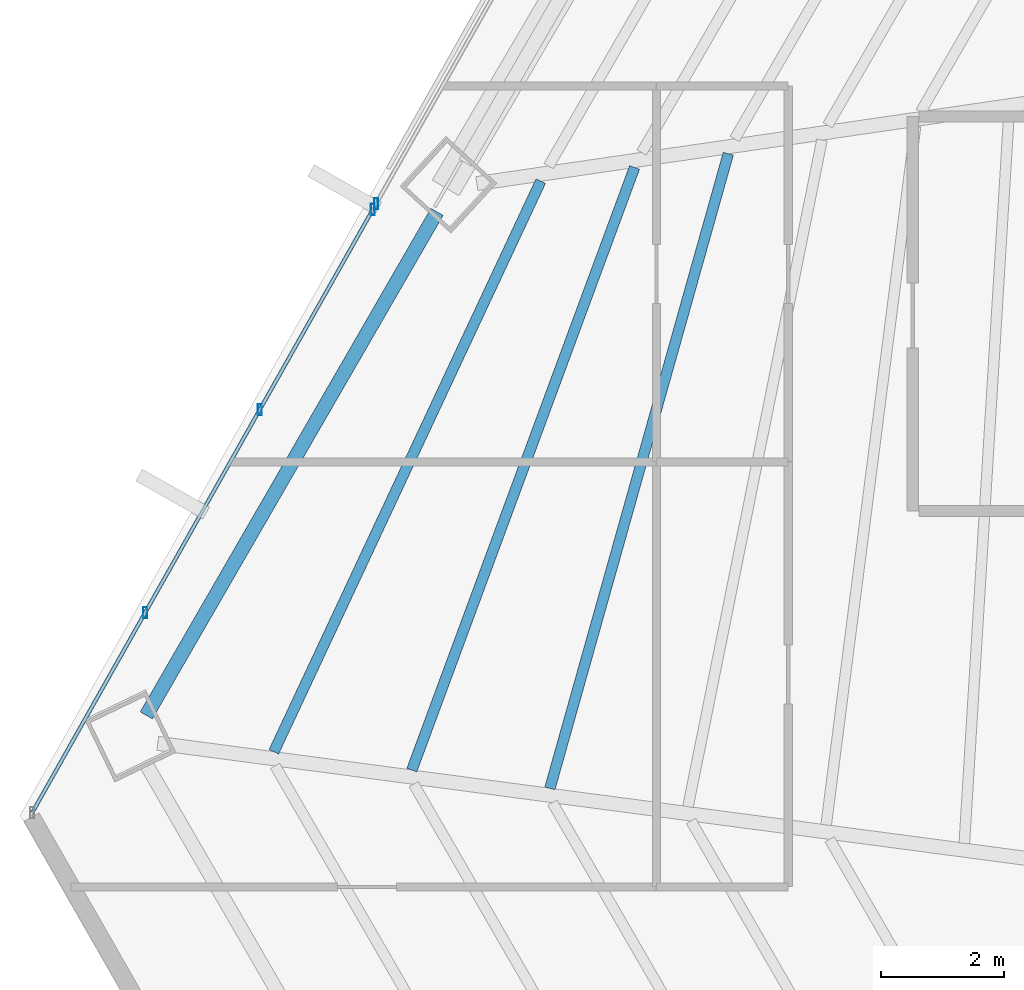
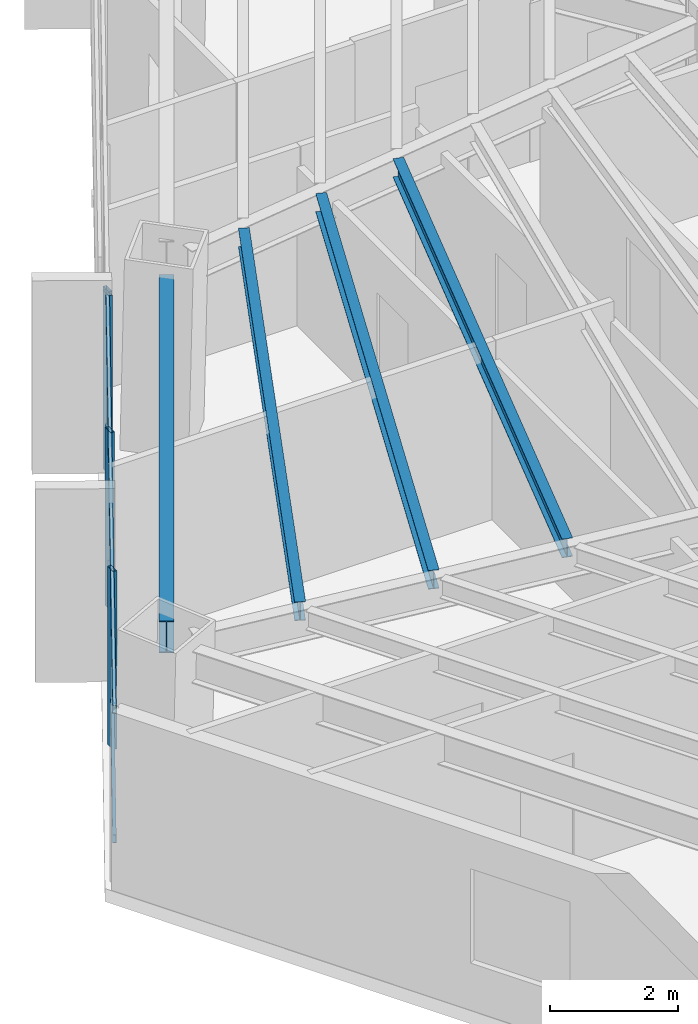
# One storey, part 11 of 35: 6 members, 4 beams, 2 elements without a shape of their own.
"""IFC4 building model written with IfcOpenShell, lengths in metres."""

from ifc_helpers import new_model, si_unit, direction, frame, origin, origin_2d, place, context, subcontext, project, spatial, hollow_rectangle, i_section, extrude, source, transform, mapped, material, material_profile, profile_set, type_object, type_shapes, element, aggregate, save


model = new_model("IFC4")

# Units and contexts
model_context = context("Model", 3, precision=1e-05, world=origin(), true_north=direction((0.0, 1.0)))
body_context = subcontext(model_context, "Body", "Model", "MODEL_VIEW")
ifc_project = project(units=[si_unit("LENGTHUNIT", "METRE"), si_unit("AREAUNIT", "SQUARE_METRE"), si_unit("VOLUMEUNIT", "CUBIC_METRE"), si_unit("PLANEANGLEUNIT", "RADIAN"), si_unit("MASSUNIT", "GRAM", prefix="KILO")], contexts=[model_context])

# Site, building, storey
site_placement = place(None, origin())
site = spatial("IfcSite", under=ifc_project, at=site_placement, CompositionType="ELEMENT")
building_placement = place(site_placement, origin())
building = spatial("IfcBuilding", under=site, at=building_placement, Name="Caelisora Broadcast Tower", CompositionType="ELEMENT")
storey_placement = place(building_placement, frame((0.0, 0.0, 90.800048828125)))
storey = spatial("IfcBuildingStorey", under=building, at=storey_placement, Name="L23", CompositionType="ELEMENT", Elevation=90.800048828125)

# Beams
ifc_material_1 = material(Name="Steel Grade 350 (AS/NZS 3679.1)", Category="steel")
ifc_material_profile_1 = material_profile(ifc_material_1, i_section(OverallWidth=0.22900390625, OverallDepth=0.611572265625, WebThickness=0.011962890625, FlangeThickness=0.01953125, at=origin_2d()), Name="Steel Grade 350 (AS/NZS 3679.1)")
ifc_profile_set_1 = profile_set([ifc_material_profile_1], Name="Steel Grade 350 (AS/NZS 3679.1)")
beam_type_1 = type_object("IfcBeamType", Name="PG03", PredefinedType="BEAM", material=ifc_profile_set_1)
shared_shape_1 = source(origin(), body_context, "Body", "SweptSolid", [
    extrude(i_section(OverallWidth=0.22900390625, OverallDepth=0.611572265625, WebThickness=0.011962890625, FlangeThickness=0.01953125, at=origin_2d()), origin(), (0.0, 0.0, 1.0), 9.435302734375),
])
type_shapes(beam_type_1, [shared_shape_1])
beam_1_placement = place(storey_placement, frame((19.7001953125, 28.0556640625, 3.09423828125), z_axis=(-0.499993476249, -0.866029170241, 0.0), x_axis=(0.866029170241, -0.499993476249, 0.0)))
element("IfcBeam", 1, at=beam_1_placement, inside=storey, type_object=beam_type_1, Name="L23 beam PG03", PredefinedType="BEAM", context=body_context, shape_type="MappedRepresentation", body=[
    mapped(shared_shape_1, transform((0.0, 0.0, 0.0), scale=1.0)),
])
ifc_material_profile_2 = material_profile(ifc_material_1, i_section(OverallWidth=0.172119140625, OverallDepth=0.358642578125, WebThickness=0.008056640625, FlangeThickness=0.012939453125, at=origin_2d()), Name="Steel Grade 350 (AS/NZS 3679.1)")
ifc_profile_set_2 = profile_set([ifc_material_profile_2], Name="Steel Grade 350 (AS/NZS 3679.1)")
beam_type_2 = type_object("IfcBeamType", Name="SB02", PredefinedType="JOIST", material=ifc_profile_set_2)
shared_shape_2 = source(origin(), body_context, "Body", "SweptSolid", [
    extrude(i_section(OverallWidth=0.172119140625, OverallDepth=0.358642578125, WebThickness=0.008056640625, FlangeThickness=0.012939453125, at=origin_2d()), origin(), (0.0, 0.0, 1.0), 10.6982421875),
])
beam_2_placement = place(storey_placement, frame((24.42724609375, 28.999267578125, 3.220703125), z_axis=(-0.27062860166, -0.962683831776, 0.0), x_axis=(0.962683831776, -0.27062860166, 0.0)))
element("IfcBeam", 2, at=beam_2_placement, inside=storey, type_object=beam_type_2, Name="L23 beam SB02", PredefinedType="JOIST", context=body_context, shape_type="MappedRepresentation", body=[
    mapped(shared_shape_2, transform((0.0, 0.0, 0.0), scale=1.0)),
])
shared_shape_3 = source(origin(), body_context, "Body", "SweptSolid", [
    extrude(i_section(OverallWidth=0.172119140625, OverallDepth=0.358642578125, WebThickness=0.008056640625, FlangeThickness=0.012939453125, at=origin_2d()), origin(), (0.0, 0.0, 1.0), 10.42626953125),
])
beam_3_placement = place(storey_placement, frame((22.90625, 28.776611328125, 3.220703125), z_axis=(-0.346698063, -0.937976787086, 0.0), x_axis=(0.937976787086, -0.346698063, 0.0)))
element("IfcBeam", 3, at=beam_3_placement, inside=storey, type_object=beam_type_2, Name="L23 beam SB02", PredefinedType="JOIST", context=body_context, shape_type="MappedRepresentation", body=[
    mapped(shared_shape_3, transform((0.0, 0.0, 0.0), scale=1.0)),
])
shared_shape_4 = source(origin(), body_context, "Body", "SweptSolid", [
    extrude(i_section(OverallWidth=0.172119140625, OverallDepth=0.358642578125, WebThickness=0.008056640625, FlangeThickness=0.012939453125, at=origin_2d()), origin(), (0.0, 0.0, 1.0), 10.223388671875),
])
type_shapes(beam_type_2, [shared_shape_2, shared_shape_3, shared_shape_4])
beam_4_placement = place(storey_placement, frame((21.3837890625, 28.553955078125, 3.220703125), z_axis=(-0.423735040611, -0.905786186337, 0.0), x_axis=(0.905786186337, -0.423735040611, 0.0)))
element("IfcBeam", 4, at=beam_4_placement, inside=storey, type_object=beam_type_2, Name="L23 beam SB02", PredefinedType="JOIST", context=body_context, shape_type="MappedRepresentation", body=[
    mapped(shared_shape_4, transform((0.0, 0.0, 0.0), scale=1.0)),
])

# Curtain wall, members
ifc_material_2 = material(Name="Unitised Aluminium and Low-E Glass Curtain Wall", Category="glass")
curtain_wall_type_1 = type_object("IfcCurtainWallType", Name="CW-Z2", PredefinedType="NOTDEFINED", material=ifc_material_2)
curtain_wall_1_placement = place(storey_placement, origin())
curtain_wall_1 = element("IfcCurtainWall", 5, at=curtain_wall_1_placement, inside=storey, type_object=curtain_wall_type_1, Name="L23 curtain wall CW-Z2", PredefinedType="NOTDEFINED")
ifc_material_3 = material(Name="Aluminium 6063-T6 Anodised Terracotta Bronze", Category="aluminium")
ifc_material_profile_3 = material_profile(ifc_material_3, hollow_rectangle(XDim=0.06494140625, YDim=0.179931640625, WallThickness=0.00341796875, at=origin_2d()), Name="Aluminium 6063-T6 Anodised Terracotta Bronze")
ifc_profile_set_3 = profile_set([ifc_material_profile_3], Name="Aluminium 6063-T6 Anodised Terracotta Bronze")
member_type_1 = type_object("IfcMemberType", Name="CWM-02", PredefinedType="MULLION", material=ifc_profile_set_3)
shared_shape_5 = source(origin(), body_context, "Body", "SweptSolid", [
    extrude(hollow_rectangle(XDim=0.06494140625, YDim=0.179931640625, WallThickness=0.00341796875, at=origin_2d()), origin(), (0.0, 0.0, 1.0), 3.39990234375),
])
type_shapes(member_type_1, [shared_shape_5])
member_1_placement = place(storey_placement, frame((14.96533203125, 21.553466796875, 0.0), z_axis=(0.0, 0.0, 1.0), x_axis=(1.0, 0.0, 0.0)))
member_1 = element("IfcMember", 6, at=member_1_placement, type_object=member_type_1, Name="L23-CW-B09 mullion #1", PredefinedType="MULLION", context=body_context, shape_type="MappedRepresentation", body=[
    mapped(shared_shape_5, transform((0.0, 0.0, 0.0), scale=1.0)),
])
member_2_placement = place(storey_placement, frame((16.82470703125, 24.845703125, 0.0), z_axis=(0.0, 0.0, 1.0), x_axis=(1.0, 0.0, 0.0)))
member_2 = element("IfcMember", 7, at=member_2_placement, type_object=member_type_1, Name="L23-CW-B09 mullion #2", PredefinedType="MULLION", context=body_context, shape_type="MappedRepresentation", body=[
    mapped(shared_shape_5, transform((0.0, 0.0, 0.0), scale=1.0)),
])
member_3_placement = place(storey_placement, frame((18.659423828125, 28.094482421875, 0.0), z_axis=(0.0, 0.0, 1.0), x_axis=(1.0, 0.0, 0.0)))
member_3 = element("IfcMember", 8, at=member_3_placement, type_object=member_type_1, Name="L23-CW-B09 mullion #3", PredefinedType="MULLION", context=body_context, shape_type="MappedRepresentation", body=[
    mapped(shared_shape_5, transform((0.0, 0.0, 0.0), scale=1.0)),
])

# Curtain wall, member
ifc_material_4 = material(Name="Unitised Aluminium Insulated Shadow-Box Spandrel Curtain Wall", Category="aluminium")
curtain_wall_type_2 = type_object("IfcCurtainWallType", Name="CW-SP1", PredefinedType="NOTDEFINED", material=ifc_material_4)
curtain_wall_2_placement = place(storey_placement, origin())
curtain_wall_2 = element("IfcCurtainWall", 9, at=curtain_wall_2_placement, inside=storey, type_object=curtain_wall_type_2, Name="L23 curtain wall CW-SP1", PredefinedType="NOTDEFINED")
member_4_placement = place(storey_placement, frame((18.71337890625, 28.1904296875, 0.0), z_axis=(0.0, 0.0, 1.0), x_axis=(1.0, 0.0, 0.0)))
member_4 = element("IfcMember", 10, at=member_4_placement, type_object=member_type_1, Name="L23-CW-B10 mullion #0", PredefinedType="MULLION", context=body_context, shape_type="MappedRepresentation", body=[
    mapped(shared_shape_5, transform((0.0, 0.0, 0.0), scale=1.0)),
])
aggregate(curtain_wall_2, [member_4])

# Member
ifc_material_profile_4 = material_profile(ifc_material_3, hollow_rectangle(XDim=0.06005859375, YDim=0.14990234375, WallThickness=0.00341796875, at=origin_2d()), Name="Aluminium 6063-T6 Anodised Terracotta Bronze")
ifc_profile_set_4 = profile_set([ifc_material_profile_4], Name="Aluminium 6063-T6 Anodised Terracotta Bronze")
member_type_2 = type_object("IfcMemberType", Name="CWT-02", PredefinedType="USERDEFINED", material=ifc_profile_set_4)
shared_shape_6 = source(origin(), body_context, "Body", "SweptSolid", [
    extrude(hollow_rectangle(XDim=0.06005859375, YDim=0.14990234375, WallThickness=0.00341796875, at=origin_2d()), origin(), (0.0, 0.0, 1.0), 11.243408203125),
])
type_shapes(member_type_2, [shared_shape_6])
member_5_placement = place(storey_placement, frame((13.130615234375, 18.304443359375, 0.849853515625), z_axis=(0.491740967618, 0.870741534995, 0.0), x_axis=(-0.870741534995, 0.491740967618, 0.0)))
member_5 = element("IfcMember", 11, at=member_5_placement, type_object=member_type_2, Name="L23-CW-B09 transom #1", ObjectType="TRANSOM", PredefinedType="USERDEFINED", context=body_context, shape_type="MappedRepresentation", body=[
    mapped(shared_shape_6, transform((0.0, 0.0, 0.0), scale=1.0)),
])

member_6_placement = place(storey_placement, frame((13.130615234375, 18.304443359375, 3.320068359375), z_axis=(0.491740967618, 0.870741534995, 0.0), x_axis=(-0.870741534995, 0.491740967618, 0.0)))
member_6 = element("IfcMember", 12, at=member_6_placement, type_object=member_type_2, Name="L23-CW-B09 transom #2", ObjectType="TRANSOM", PredefinedType="USERDEFINED", context=body_context, shape_type="MappedRepresentation", body=[
    mapped(shared_shape_6, transform((0.0, 0.0, 0.0), scale=1.0)),
])

aggregate(curtain_wall_1, [member_1, member_2, member_3, member_5, member_6])

save(model, "model.ifc")
